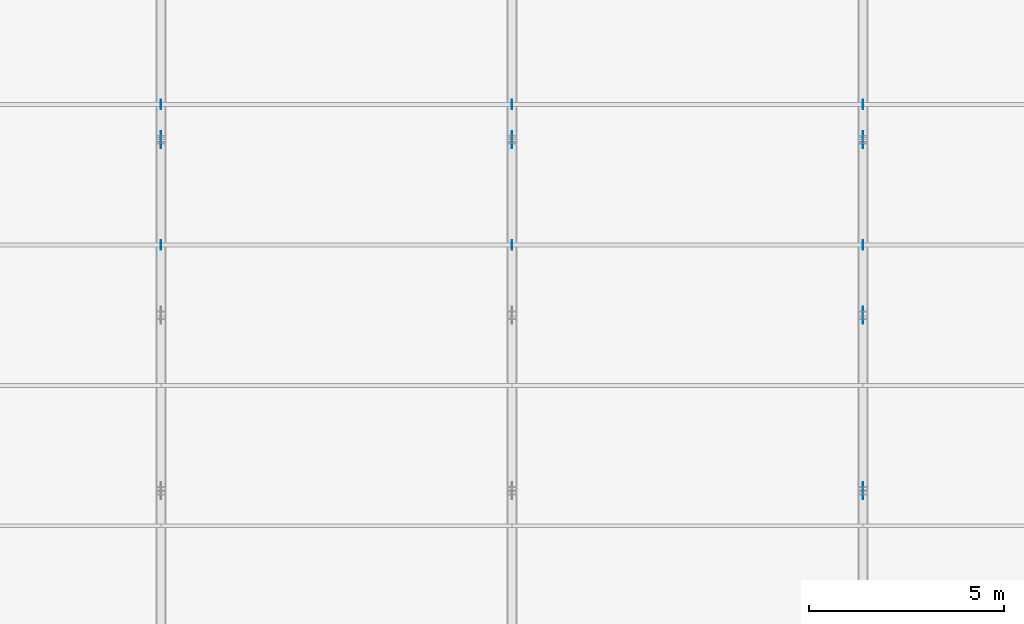
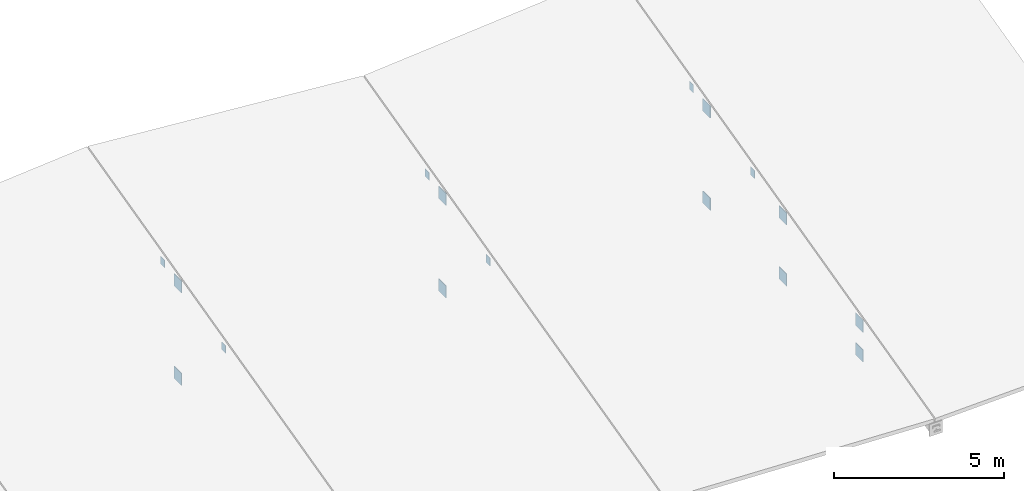
# One storey, part 25 of 36: 16 plates.
"""IFC4 building model written with IfcOpenShell, lengths in metres."""

from ifc_helpers import new_model, si_unit, direction, frame, origin, origin_2d, place, context, subcontext, project, spatial, rectangle, extrude, material, layer, layer_set, type_object, element, save


model = new_model("IFC4")

# Units and contexts
model_context = context("Model", 3, precision=1e-05, world=origin(), true_north=direction((0.0, 1.0)))
body_context = subcontext(model_context, "Body", "Model", "MODEL_VIEW")
ifc_project = project(units=[si_unit("LENGTHUNIT", "METRE"), si_unit("AREAUNIT", "SQUARE_METRE"), si_unit("VOLUMEUNIT", "CUBIC_METRE"), si_unit("PLANEANGLEUNIT", "RADIAN"), si_unit("MASSUNIT", "GRAM", prefix="KILO")], contexts=[model_context])

# Site, building, storey
site_placement = place(None, origin())
site = spatial("IfcSite", under=ifc_project, at=site_placement, CompositionType="ELEMENT")
building_placement = place(site_placement, origin())
building = spatial("IfcBuilding", under=site, at=building_placement, Name="Montelvaro Courts of Justice", CompositionType="ELEMENT")
storey_placement = place(building_placement, frame((0.0, 0.0, 23.39990234375)))
storey = spatial("IfcBuildingStorey", under=building, at=storey_placement, Name="L05", CompositionType="ELEMENT", Elevation=23.39990234375)

# Plates
ifc_material = material(Name="Steel S355", Category="steel")
ifc_layer_1 = layer(ifc_material, 0.011962890625)
ifc_layer_set_1 = layer_set([ifc_layer_1], Name="Steel S355")
plate_type_1 = type_object("IfcPlateType", Name="EndCapPlate_12", PredefinedType="USERDEFINED", material=ifc_layer_set_1)
for number, where, z_axis, x_axis, name in (
    (1, (135.0, 88.800048828125, 2.2099609375), (0.0, 0.0, 1.0), (1.0, 0.0, 0.0), "Purlin End Cap Plate CP-01 04-3M-B"),
    (2, (135.0, 92.39990234375, 3.10986328125), (0.0, 0.0, 1.0), (1.0, 0.0, 0.0), "Purlin End Cap Plate CP-01 04-4M-B"),
    (3, (144.0, 88.800048828125, 2.2099609375), (0.0, 0.0, 1.0), (1.0, 0.0, 0.0), "Purlin End Cap Plate CP-01 05-3M-B"),
    (4, (144.0, 92.39990234375, 3.10986328125), (0.0, 0.0, 1.0), (1.0, 0.0, 0.0), "Purlin End Cap Plate CP-01 05-4M-B"),
    (5, (153.0, 88.800048828125, 2.2099609375), (0.0, 0.0, 1.0), (1.0, 0.0, 0.0), "Purlin End Cap Plate CP-01 06-3M-B"),
    (6, (153.0, 92.39990234375, 3.10986328125), (0.0, 0.0, 1.0), (1.0, 0.0, 0.0), "Purlin End Cap Plate CP-01 06-4M-B"),
):
    element("IfcPlate", number, at=place(storey_placement, frame(where, z_axis=z_axis, x_axis=x_axis)), inside=storey, type_object=plate_type_1, Name=name, ObjectType="GUSSET PLATE", PredefinedType="USERDEFINED", context=body_context, shape_type="SweptSolid", body=[
        extrude(rectangle(XDim=0.011962890625, YDim=0.239990234375, at=origin_2d()), origin(), (0.0, 0.0, 1.0), 0.280029296875),
    ])
ifc_layer_2 = layer(ifc_material, 0.02001953125)
ifc_layer_set_2 = layer_set([ifc_layer_2], Name="Steel S355")
plate_type_2 = type_object("IfcPlateType", Name="GussetPlate_20", PredefinedType="USERDEFINED", material=ifc_layer_set_2)
for number, where, z_axis, x_axis, name in (
    (7, (135.0, 91.5, -0.519775390625), (0.0, 0.0, 1.0), (1.0, 0.0, 0.0), "Roof Truss Gusset Plate GP-01 ROOF-V2-VTR05-3B"),
    (8, (135.0, 91.5, 2.80517578125), (0.0, 0.0, 1.0), (1.0, 0.0, 0.0), "Roof Truss Gusset Plate GP-01 ROOF-V2-VTR05-3T"),
    (9, (144.0, 91.5, -0.519775390625), (0.0, 0.0, 1.0), (1.0, 0.0, 0.0), "Roof Truss Gusset Plate GP-01 ROOF-V2-VTR06-3B"),
    (10, (144.0, 91.5, 2.80517578125), (0.0, 0.0, 1.0), (1.0, 0.0, 0.0), "Roof Truss Gusset Plate GP-01 ROOF-V2-VTR06-3T"),
    (11, (153.0, 82.5, -0.519775390625), (0.0, 0.0, 1.0), (1.0, 0.0, 0.0), "Roof Truss Gusset Plate GP-01 ROOF-V2-VTR07-1B"),
    (12, (153.0, 82.5, 0.55517578125), (0.0, 0.0, 1.0), (1.0, 0.0, 0.0), "Roof Truss Gusset Plate GP-01 ROOF-V2-VTR07-1T"),
    (13, (153.0, 87.0, -0.519775390625), (0.0, 0.0, 1.0), (1.0, 0.0, 0.0), "Roof Truss Gusset Plate GP-01 ROOF-V2-VTR07-2B"),
    (14, (153.0, 87.0, 1.68017578125), (0.0, 0.0, 1.0), (1.0, 0.0, 0.0), "Roof Truss Gusset Plate GP-01 ROOF-V2-VTR07-2T"),
    (15, (153.0, 91.5, -0.519775390625), (0.0, 0.0, 1.0), (1.0, 0.0, 0.0), "Roof Truss Gusset Plate GP-01 ROOF-V2-VTR07-3B"),
    (16, (153.0, 91.5, 2.80517578125), (0.0, 0.0, 1.0), (1.0, 0.0, 0.0), "Roof Truss Gusset Plate GP-01 ROOF-V2-VTR07-3T"),
):
    element("IfcPlate", number, at=place(storey_placement, frame(where, z_axis=z_axis, x_axis=x_axis)), inside=storey, type_object=plate_type_2, Name=name, ObjectType="GUSSET PLATE", PredefinedType="USERDEFINED", context=body_context, shape_type="SweptSolid", body=[
        extrude(rectangle(XDim=0.02001953125, YDim=0.43994140625, at=origin_2d()), origin(), (0.0, 0.0, 1.0), 0.43994140625),
    ])

save(model, "model.ifc")
